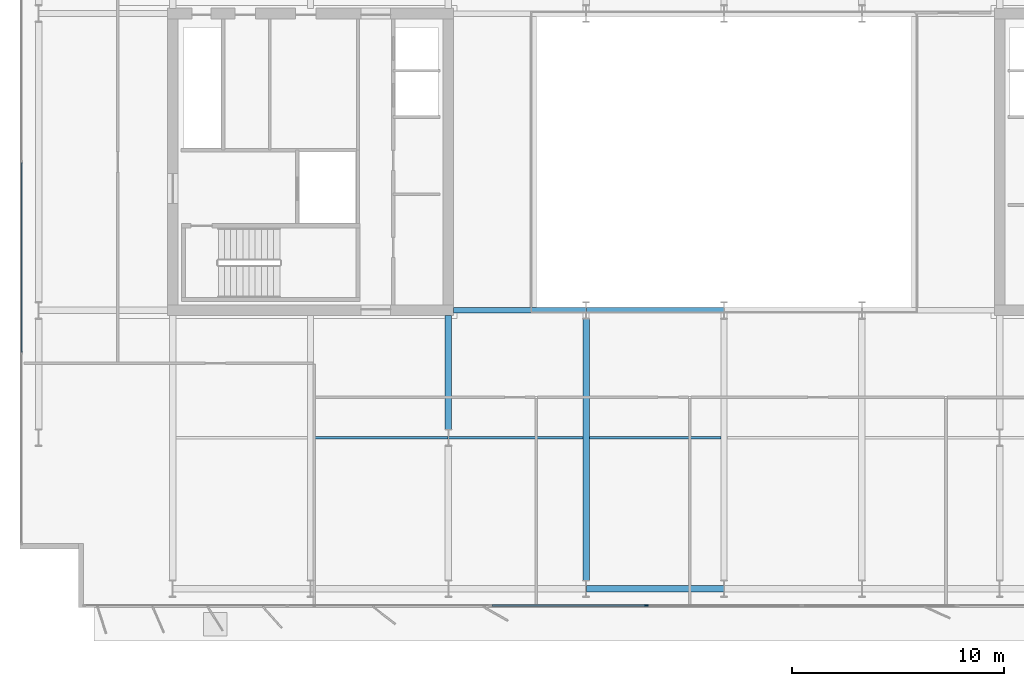
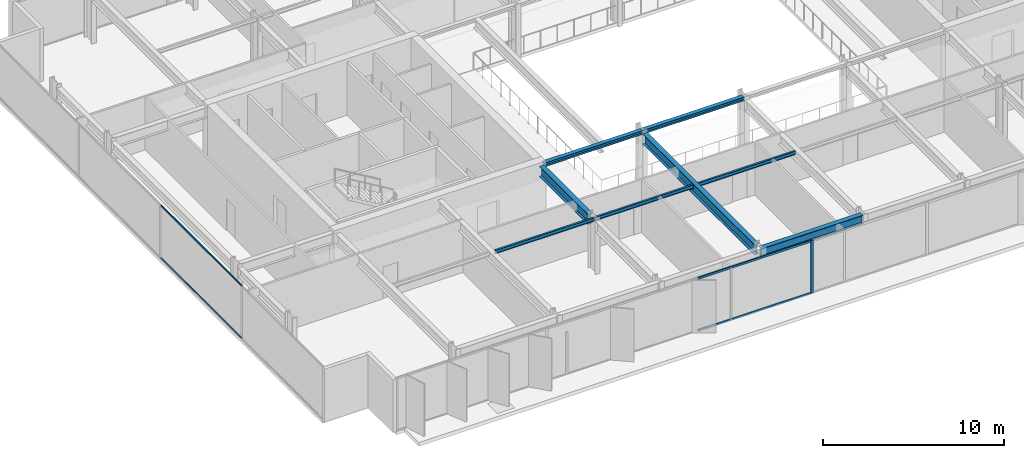
# One storey, part 4 of 23: 8 beams, 5 members, 2 elements without a shape of their own.
"""IFC4 building model written with IfcOpenShell, lengths in metres."""

from ifc_helpers import new_model, si_unit, direction, frame, origin, origin_2d, place, context, subcontext, project, spatial, rectangle, i_section, extrude, material, layer, layer_set, material_profile, profile_set, type_object, element, aggregate, save


model = new_model("IFC4")

# Units and contexts
model_context = context("Model", 3, precision=1e-05, world=origin(), true_north=direction((0.0, 1.0)))
body_context = subcontext(model_context, "Body", "Model", "MODEL_VIEW")
ifc_project = project(units=[si_unit("LENGTHUNIT", "METRE"), si_unit("AREAUNIT", "SQUARE_METRE"), si_unit("VOLUMEUNIT", "CUBIC_METRE"), si_unit("PLANEANGLEUNIT", "RADIAN"), si_unit("MASSUNIT", "GRAM", prefix="KILO")], contexts=[model_context])

# Site, building, storey
site_placement = place(None, origin())
site = spatial("IfcSite", under=ifc_project, at=site_placement, CompositionType="ELEMENT")
building_placement = place(site_placement, origin())
building = spatial("IfcBuilding", under=site, at=building_placement, Name="Putna Gate Headquarters", CompositionType="ELEMENT")
storey_placement = place(building_placement, frame((0.0, 0.0, 202.39990234375)))
storey = spatial("IfcBuildingStorey", under=building, at=storey_placement, Name="L50", CompositionType="ELEMENT", Elevation=202.39990234375)

# Beams
ifc_material_1 = material(Name="Steel S355J2", Category="steel")
ifc_material_profile_1 = material_profile(ifc_material_1, i_section(OverallWidth=0.260009765625, OverallDepth=0.260009765625, WebThickness=0.010009765625, FlangeThickness=0.017578125, at=origin_2d()), Name="Steel S355J2")
ifc_profile_set_1 = profile_set([ifc_material_profile_1], Name="Steel S355J2")
beam_type_1 = type_object("IfcBeamType", Name="BM-ATRIUM-HEB260", PredefinedType="BEAM", material=ifc_profile_set_1)
beam_1_placement = place(storey_placement, frame((26.235107421875, 19.0, 3.4501953125), z_axis=(1.0, 0.0, 0.0), x_axis=(0.0, 1.0, 0.0)))
element("IfcBeam", 1, at=beam_1_placement, inside=storey, type_object=beam_type_1, Name="L50 Atrium Edge Beam AS1", PredefinedType="BEAM", context=body_context, shape_type="SweptSolid", body=[
    extrude(i_section(OverallWidth=0.260009765625, OverallDepth=0.260009765625, WebThickness=0.010009765625, FlangeThickness=0.017578125, at=origin_2d()), origin(), (0.0, 0.0, 1.0), 6.2587890625),
])
beam_2_placement = place(storey_placement, frame((32.506103515625, 19.0, 3.4501953125), z_axis=(1.0, 0.0, 0.0), x_axis=(0.0, 1.0, 0.0)))
element("IfcBeam", 2, at=beam_2_placement, inside=storey, type_object=beam_type_1, Name="L50 Atrium Edge Beam AS2", PredefinedType="BEAM", context=body_context, shape_type="SweptSolid", body=[
    extrude(i_section(OverallWidth=0.260009765625, OverallDepth=0.260009765625, WebThickness=0.010009765625, FlangeThickness=0.017578125, at=origin_2d()), origin(), (0.0, 0.0, 1.0), 6.48779296875),
])
ifc_material_profile_2 = material_profile(ifc_material_1, i_section(OverallWidth=0.300048828125, OverallDepth=0.699951171875, WebThickness=0.01708984375, FlangeThickness=0.031982421875, at=origin_2d()), Name="Steel S355J2")
ifc_profile_set_2 = profile_set([ifc_material_profile_2], Name="Steel S355J2")
beam_type_2 = type_object("IfcBeamType", Name="BM-GIRD-B-HEB700", PredefinedType="USERDEFINED", material=ifc_profile_set_2)
beam_3_placement = place(storey_placement, frame((26.0, 13.39501953125, 3.22998046875), z_axis=(0.0, 1.0, 0.0), x_axis=(-1.0, 0.0, 0.0)))
element("IfcBeam", 3, at=beam_3_placement, inside=storey, type_object=beam_type_2, Name="L50 South Primary Girder X26-2", ObjectType="GIRDER", PredefinedType="USERDEFINED", context=body_context, shape_type="SweptSolid", body=[
    extrude(i_section(OverallWidth=0.300048828125, OverallDepth=0.699951171875, WebThickness=0.01708984375, FlangeThickness=0.031982421875, at=origin_2d()), origin(), (0.0, 0.0, 1.0), 5.369873046875),
])
beam_4_placement = place(storey_placement, frame((32.5, 6.27490234375, 3.22998046875), z_axis=(0.0, 1.0, 0.0), x_axis=(-1.0, 0.0, 0.0)))
element("IfcBeam", 4, at=beam_4_placement, inside=storey, type_object=beam_type_2, Name="L50 South Primary Girder X32", ObjectType="GIRDER", PredefinedType="USERDEFINED", context=body_context, shape_type="SweptSolid", body=[
    extrude(i_section(OverallWidth=0.300048828125, OverallDepth=0.699951171875, WebThickness=0.01708984375, FlangeThickness=0.031982421875, at=origin_2d()), origin(), (0.0, 0.0, 1.0), 12.330078125),
])
ifc_material_profile_3 = material_profile(ifc_material_1, i_section(OverallWidth=0.1201171875, OverallDepth=0.239990234375, WebThickness=0.006103515625, FlangeThickness=0.009765625, at=origin_2d()), Name="Steel S355J2")
ifc_profile_set_3 = profile_set([ifc_material_profile_3], Name="Steel S355J2")
beam_type_3 = type_object("IfcBeamType", Name="BM-SEC-Z4-IPE240", PredefinedType="JOIST", material=ifc_profile_set_3)
for number, where, z_axis, x_axis, name in (
    (5, (19.654052734375, 13.0, 3.460205078125), (1.0, 0.0, 0.0), (0.0, 1.0, 0.0), "L50 South Secondary Beam 2"),
    (6, (26.006103515625, 13.0, 3.460205078125), (1.0, 0.0, 0.0), (0.0, 1.0, 0.0), "L50 South Secondary Beam 3"),
):
    element("IfcBeam", number, at=place(storey_placement, frame(where, z_axis=z_axis, x_axis=x_axis)), inside=storey, type_object=beam_type_3, Name=name, PredefinedType="JOIST", context=body_context, shape_type="SweptSolid", body=[
        extrude(i_section(OverallWidth=0.1201171875, OverallDepth=0.239990234375, WebThickness=0.006103515625, FlangeThickness=0.009765625, at=origin_2d()), origin(), (0.0, 0.0, 1.0), 6.33984375),
    ])
beam_5_placement = place(storey_placement, frame((32.654052734375, 13.0, 3.460205078125), z_axis=(1.0, 0.0, 0.0), x_axis=(0.0, 1.0, 0.0)))
element("IfcBeam", 7, at=beam_5_placement, inside=storey, type_object=beam_type_3, Name="L50 South Secondary Beam 4", PredefinedType="JOIST", context=body_context, shape_type="SweptSolid", body=[
    extrude(i_section(OverallWidth=0.1201171875, OverallDepth=0.239990234375, WebThickness=0.006103515625, FlangeThickness=0.009765625, at=origin_2d()), origin(), (0.0, 0.0, 1.0), 6.19189453125),
])
ifc_material_profile_4 = material_profile(ifc_material_1, i_section(OverallWidth=0.300048828125, OverallDepth=0.590087890625, WebThickness=0.012939453125, FlangeThickness=0.02490234375, at=origin_2d()), Name="Steel S355J2")
ifc_profile_set_4 = profile_set([ifc_material_profile_4], Name="Steel S355J2")
beam_type_4 = type_object("IfcBeamType", Name="BM-SPAN-Z4-HEA600", PredefinedType="SPANDREL", material=ifc_profile_set_4)
beam_6_placement = place(storey_placement, frame((32.506103515625, 5.8798828125, 3.28515625), z_axis=(1.0, 0.0, 0.0), x_axis=(0.0, 1.0, 0.0)))
element("IfcBeam", 8, at=beam_6_placement, inside=storey, type_object=beam_type_4, Name="L50 S Perimeter Spandrel 4", PredefinedType="SPANDREL", context=body_context, shape_type="SweptSolid", body=[
    extrude(i_section(OverallWidth=0.300048828125, OverallDepth=0.590087890625, WebThickness=0.012939453125, FlangeThickness=0.02490234375, at=origin_2d()), origin(), (0.0, 0.0, 1.0), 6.48779296875),
])

# Curtain wall, member
ifc_material_2 = material(Name="Anodised bronze aluminium curtain wall", Category="aluminium")
ifc_layer_1 = layer(ifc_material_2, 0.179931640625)
ifc_layer_set_1 = layer_set([ifc_layer_1], Name="Anodised bronze aluminium curtain wall")
curtain_wall_type_1 = type_object("IfcCurtainWallType", Name="CW-SYS-ATR", PredefinedType="USERDEFINED", material=ifc_layer_set_1)
curtain_wall_1_placement = place(storey_placement, origin())
curtain_wall_1 = element("IfcCurtainWall", 9, at=curtain_wall_1_placement, inside=storey, type_object=curtain_wall_type_1, Name="L50 South Atrium Clear Glazing", ObjectType="ATRIUM GLAZING", PredefinedType="USERDEFINED")
ifc_material_3 = material(Name="Anodised bronze aluminium EN AW-6060", Category="aluminium")
ifc_material_profile_5 = material_profile(ifc_material_3, rectangle(XDim=0.070068359375, YDim=0.179931640625, at=origin_2d()), Name="Anodised bronze aluminium EN AW-6060")
ifc_profile_set_5 = profile_set([ifc_material_profile_5], Name="Anodised bronze aluminium EN AW-6060")
member_type_1 = type_object("IfcMemberType", Name="MULL-CWM-AT", PredefinedType="MULLION", material=ifc_profile_set_5)
member_1_placement = place(storey_placement, frame((35.333251953125, 5.080078125, 0.0), z_axis=(0.0, 0.0, 1.0), x_axis=(0.0, 1.0, 0.0)))
member_1 = element("IfcMember", 10, at=member_1_placement, type_object=member_type_1, Name="CWS-AT mullion 2", PredefinedType="MULLION", context=body_context, shape_type="SweptSolid", body=[
    extrude(rectangle(XDim=0.070068359375, YDim=0.179931640625, at=origin_2d()), origin(), (0.0, 0.0, 1.0), 3.580078125),
])

# Curtain wall, members
ifc_layer_2 = layer(ifc_material_2, 0.139892578125)
ifc_layer_set_2 = layer_set([ifc_layer_2], Name="Anodised bronze aluminium curtain wall")
curtain_wall_type_2 = type_object("IfcCurtainWallType", Name="CW-SYS-Z4", PredefinedType="USERDEFINED", material=ifc_layer_set_2)
curtain_wall_2_placement = place(storey_placement, origin())
curtain_wall_2 = element("IfcCurtainWall", 11, at=curtain_wall_2_placement, inside=storey, type_object=curtain_wall_type_2, Name="L50 West Curtain Wall", ObjectType="STICK CURTAIN WALL", PredefinedType="USERDEFINED")
ifc_material_profile_6 = material_profile(ifc_material_3, rectangle(XDim=0.06005859375, YDim=0.10009765625, at=origin_2d()), Name="Anodised bronze aluminium EN AW-6060")
ifc_profile_set_6 = profile_set([ifc_material_profile_6], Name="Anodised bronze aluminium EN AW-6060")
member_type_2 = type_object("IfcMemberType", Name="TRAN-CWT-4", PredefinedType="USERDEFINED", material=ifc_profile_set_6)
member_2_placement = place(storey_placement, frame((5.8798828125, 17.030029296875, 0.030029296875), z_axis=(0.0, 1.0, 0.0), x_axis=(-1.0, 0.0, 0.0)))
member_2 = element("IfcMember", 12, at=member_2_placement, type_object=member_type_2, Name="CWS-4 transom 2.1", ObjectType="TRANSOM", PredefinedType="USERDEFINED", context=body_context, shape_type="SweptSolid", body=[
    extrude(rectangle(XDim=0.06005859375, YDim=0.10009765625, at=origin_2d()), origin(), (0.0, 0.0, 1.0), 8.93994140625),
])
member_3_placement = place(storey_placement, frame((5.8798828125, 17.030029296875, 3.550048828125), z_axis=(0.0, 1.0, 0.0), x_axis=(-1.0, 0.0, 0.0)))
member_3 = element("IfcMember", 13, at=member_3_placement, type_object=member_type_2, Name="CWS-4 transom 2.2", ObjectType="TRANSOM", PredefinedType="USERDEFINED", context=body_context, shape_type="SweptSolid", body=[
    extrude(rectangle(XDim=0.06005859375, YDim=0.10009765625, at=origin_2d()), origin(), (0.0, 0.0, 1.0), 8.93994140625),
])
aggregate(curtain_wall_2, [member_2, member_3])

# Member
ifc_material_profile_7 = material_profile(ifc_material_3, rectangle(XDim=0.070068359375, YDim=0.139892578125, at=origin_2d()), Name="Anodised bronze aluminium EN AW-6060")
ifc_profile_set_7 = profile_set([ifc_material_profile_7], Name="Anodised bronze aluminium EN AW-6060")
member_type_3 = type_object("IfcMemberType", Name="TRAN-CWT-AT", PredefinedType="USERDEFINED", material=ifc_profile_set_7)
member_4_placement = place(storey_placement, frame((28.070068359375, 5.080078125, 0.03515625), z_axis=(1.0, 0.0, 0.0), x_axis=(0.0, 1.0, 0.0)))
member_4 = element("IfcMember", 14, at=member_4_placement, type_object=member_type_3, Name="CWS-AT transom 1.1", ObjectType="TRANSOM", PredefinedType="USERDEFINED", context=body_context, shape_type="SweptSolid", body=[
    extrude(rectangle(XDim=0.070068359375, YDim=0.139892578125, at=origin_2d()), origin(), (0.0, 0.0, 1.0), 7.228271484375),
])

member_5_placement = place(storey_placement, frame((28.070068359375, 5.080078125, 3.545166015625), z_axis=(1.0, 0.0, 0.0), x_axis=(0.0, 1.0, 0.0)))
member_5 = element("IfcMember", 15, at=member_5_placement, type_object=member_type_3, Name="CWS-AT transom 1.2", ObjectType="TRANSOM", PredefinedType="USERDEFINED", context=body_context, shape_type="SweptSolid", body=[
    extrude(rectangle(XDim=0.070068359375, YDim=0.139892578125, at=origin_2d()), origin(), (0.0, 0.0, 1.0), 7.228271484375),
])

aggregate(curtain_wall_1, [member_1, member_4, member_5])

save(model, "model.ifc")
